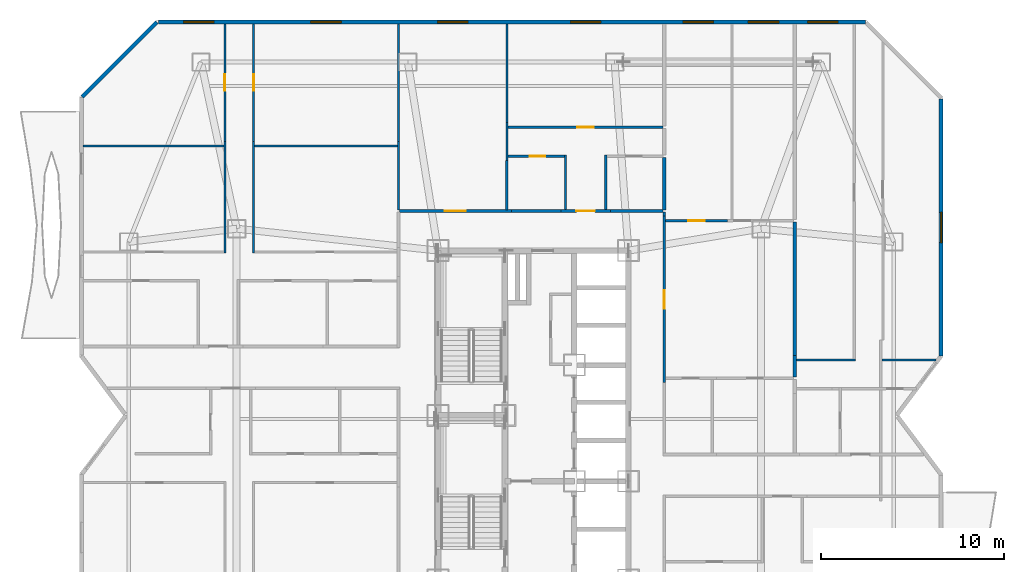
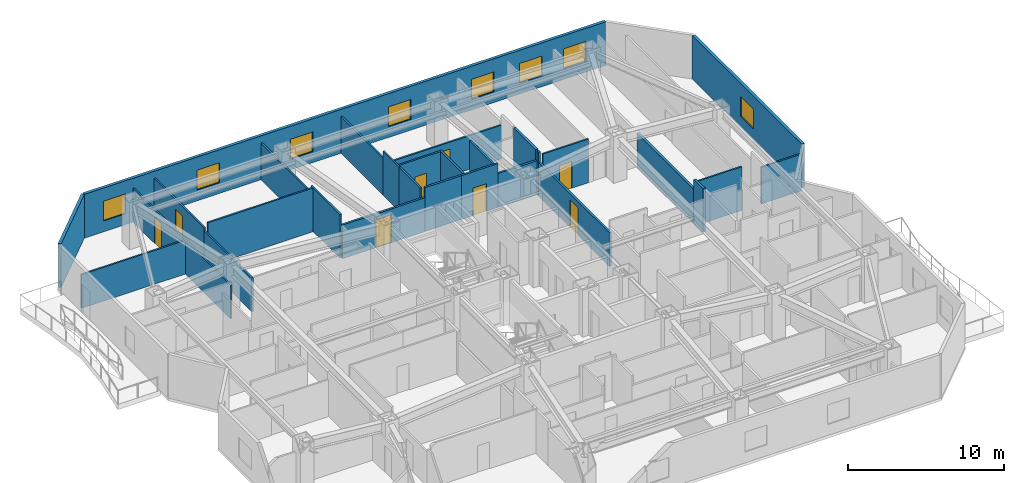
# One storey, part 11 of 14: 30 walls, 8 doors, 8 windows, 16 openings.
"""IFC4 building model written with IfcOpenShell, lengths in metres."""

from ifc_helpers import new_model, si_unit, direction, frame, frame_2d, origin, place, context, subcontext, project, spatial, rectangle, extrude, material, layer, layer_set, type_object, element, fill, save


model = new_model("IFC4")

# Units and contexts
model_context = context("Model", 3, precision=1e-05, world=origin(), true_north=direction((0.0, 1.0)))
body_context = subcontext(model_context, "Body", "Model", "MODEL_VIEW")
ifc_project = project(units=[si_unit("LENGTHUNIT", "METRE"), si_unit("AREAUNIT", "SQUARE_METRE"), si_unit("VOLUMEUNIT", "CUBIC_METRE"), si_unit("PLANEANGLEUNIT", "RADIAN"), si_unit("MASSUNIT", "GRAM", prefix="KILO")], contexts=[model_context])

# Site, building, storey
site_placement = place(None, origin())
site = spatial("IfcSite", under=ifc_project, at=site_placement, CompositionType="ELEMENT")
building_placement = place(site_placement, origin())
building = spatial("IfcBuilding", under=site, at=building_placement, Name="Khamvora Tower", CompositionType="ELEMENT")
storey_placement = place(building_placement, frame((0.0, 0.0, 123.800048828125)))
storey = spatial("IfcBuildingStorey", under=building, at=storey_placement, Name="L31", CompositionType="ELEMENT", Elevation=123.800048828125)

# Wall, opening, door
ifc_material_1 = material(Name="Fire-Rated Drywall and Steel Stud", Category="steel")
ifc_layer_1 = layer(ifc_material_1, 0.14990234375)
ifc_layer_set_1 = layer_set([ifc_layer_1], Name="Fire-Rated Drywall and Steel Stud")
wall_type_1 = type_object("IfcWallType", Name="WAL-CORR-150", PredefinedType="STANDARD", material=ifc_layer_set_1)
wall_1_placement = place(storey_placement, frame((26.89990234375, 39.1650390625, 0.0), z_axis=(0.0, 0.0, 1.0), x_axis=(1.0, 0.0, 0.0)))
wall_1 = element("IfcWall", 1, at=wall_1_placement, inside=storey, type_object=wall_type_1, Name="L31 interior partition wall 004", PredefinedType="STANDARD", context=body_context, shape_type="SweptSolid", body=[
    extrude(rectangle(XDim=6.114013671875, YDim=0.14990234375, at=frame_2d((3.05712890625, 0.0))), origin(), (0.0, 0.0, 1.0), 2.64697265625),
])
opening_1_placement = place(wall_1_placement, frame((2.4609375, 0.0, 0.0)))
opening_1 = element("IfcOpeningElement", 2, at=opening_1_placement, cuts=wall_1, Name="Opening D-SC1", PredefinedType="OPENING", context=body_context, shape_type="SweptSolid", body=[
    extrude(rectangle(XDim=1.14990234375, YDim=2.199951171875, at=frame_2d((0.574951171875, 1.10009765625))), frame((0.0, 0.0849609375, 0.0), z_axis=(0.0, -1.0, 0.0), x_axis=(1.0, 0.0, 0.0)), (0.0, 0.0, 1.0), 0.169921875),
])
ifc_material_2 = material(Name="Powder-Coated Steel and Hardwood Leaf", Category="steel")
door_type_1 = type_object("IfcDoorType", Name="DOR-SCHL-1150", OperationType="NOTDEFINED", PredefinedType="DOOR", material=ifc_material_2)
door_1_placement = place(opening_1_placement, origin())
door_1 = element("IfcDoor", 3, at=door_1_placement, inside=storey, type_object=door_type_1, Name="L31 interior door COR-FSTD", OperationType="SINGLE_SWING_RIGHT", OverallHeight=2.199951171875, OverallWidth=1.14990234375, PredefinedType="DOOR", context=body_context, shape_type="SweptSolid", body=[
    extrude(rectangle(XDim=1.14990234375, YDim=2.199951171875, at=frame_2d((0.574951171875, 1.10009765625))), frame((0.0, 0.02490234375, 0.0), z_axis=(0.0, -1.0, 0.0), x_axis=(1.0, 0.0, 0.0)), (0.0, 0.0, 1.0), 0.050048828125),
])
fill(opening_1, door_1)

wall_2_placement = place(storey_placement, frame((35.716064453125, 39.1650390625, 0.0), z_axis=(0.0, 0.0, 1.0), x_axis=(1.0, 0.0, 0.0)))
wall_2 = element("IfcWall", 4, at=wall_2_placement, inside=storey, type_object=wall_type_1, Name="L31 interior partition wall 023", PredefinedType="STANDARD", context=body_context, shape_type="SweptSolid", body=[
    extrude(rectangle(XDim=2.697998046875, YDim=0.14990234375, at=frame_2d((1.34912109375, 0.0))), origin(), (0.0, 0.0, 1.0), 3.429931640625),
])
opening_2_placement = place(wall_2_placement, frame((0.84912109375, 0.0, 0.0)))
opening_2 = element("IfcOpeningElement", 5, at=opening_2_placement, cuts=wall_2, Name="Opening D-U1", PredefinedType="OPENING", context=body_context, shape_type="SweptSolid", body=[
    extrude(rectangle(XDim=1.0, YDim=2.14990234375, at=frame_2d((0.5, 1.074951171875))), frame((0.0, 0.0849609375, 0.0), z_axis=(0.0, -1.0, 0.0), x_axis=(1.0, 0.0, 0.0)), (0.0, 0.0, 1.0), 0.169921875),
])
door_type_2 = type_object("IfcDoorType", Name="DOR-UNIT-1000", OperationType="NOTDEFINED", PredefinedType="DOOR", material=ifc_material_2)
door_2_placement = place(opening_2_placement, origin())
door_2 = element("IfcDoor", 6, at=door_2_placement, inside=storey, type_object=door_type_2, Name="L31 interior door COR-31NAH", OperationType="SINGLE_SWING_RIGHT", OverallHeight=2.14990234375, OverallWidth=1.0, PredefinedType="DOOR", context=body_context, shape_type="SweptSolid", body=[
    extrude(rectangle(XDim=1.0, YDim=2.14990234375, at=frame_2d((0.5, 1.074951171875))), frame((0.0, 0.02490234375, 0.0), z_axis=(0.0, -1.0, 0.0), x_axis=(1.0, 0.0, 0.0)), (0.0, 0.0, 1.0), 0.050048828125),
])
fill(opening_2, door_2)

# Walls
wall_3_placement = place(storey_placement, frame((33.013916015625, 39.1650390625, 0.0), z_axis=(0.0, 0.0, 1.0), x_axis=(1.0, 0.0, 0.0)))
element("IfcWall", 7, at=wall_3_placement, inside=storey, type_object=wall_type_1, Name="L31 interior partition wall 024", PredefinedType="STANDARD", context=body_context, shape_type="SweptSolid", body=[
    extrude(rectangle(XDim=2.7021484375, YDim=0.14990234375, at=frame_2d((1.35107421875, 0.0))), origin(), (0.0, 0.0, 1.0), 3.429931640625),
])
wall_4_placement = place(storey_placement, frame((38.4140625, 39.1650390625, 0.0), z_axis=(0.0, 0.0, 1.0), x_axis=(1.0, 0.0, 0.0)))
element("IfcWall", 8, at=wall_4_placement, inside=storey, type_object=wall_type_1, Name="L31 interior partition wall 025", PredefinedType="STANDARD", context=body_context, shape_type="SweptSolid", body=[
    extrude(rectangle(XDim=2.885986328125, YDim=0.14990234375, at=frame_2d((1.44287109375, 0.0))), origin(), (0.0, 0.0, 1.0), 2.64697265625),
])

# Wall, opening, door
wall_5_placement = place(storey_placement, frame((41.364990234375, 38.87890625, 0.0), z_axis=(0.0, 0.0, 1.0), x_axis=(0.0, -1.0, 0.0)))
wall_5 = element("IfcWall", 9, at=wall_5_placement, inside=storey, type_object=wall_type_1, Name="L31 interior partition wall 032", PredefinedType="STANDARD", context=body_context, shape_type="SweptSolid", body=[
    extrude(rectangle(XDim=9.097900390625, YDim=0.14990234375, at=frame_2d((4.548828125, 0.0))), origin(), (0.0, 0.0, 1.0), 2.64697265625),
])
opening_3_placement = place(wall_5_placement, frame((4.049072265625, 0.0, 0.0)))
opening_3 = element("IfcOpeningElement", 10, at=opening_3_placement, cuts=wall_5, Name="Opening D-U1", PredefinedType="OPENING", context=body_context, shape_type="SweptSolid", body=[
    extrude(rectangle(XDim=1.0, YDim=2.14990234375, at=frame_2d((0.5, 1.074951171875))), frame((0.0, 0.0849609375, 0.0), z_axis=(0.0, -1.0, 0.0), x_axis=(1.0, 0.0, 0.0)), (0.0, 0.0, 1.0), 0.169921875),
])
door_3_placement = place(opening_3_placement, origin())
door_3 = element("IfcDoor", 11, at=door_3_placement, inside=storey, type_object=door_type_2, Name="L31 interior door COR-31EBH", OperationType="SINGLE_SWING_RIGHT", OverallHeight=2.14990234375, OverallWidth=1.0, PredefinedType="DOOR", context=body_context, shape_type="SweptSolid", body=[
    extrude(rectangle(XDim=1.0, YDim=2.14990234375, at=frame_2d((0.5, 1.074951171875))), frame((0.0, 0.02490234375, 0.0), z_axis=(0.0, -1.0, 0.0), x_axis=(1.0, 0.0, 0.0)), (0.0, 0.0, 1.0), 0.050048828125),
])
fill(opening_3, door_3)

# Walls
wall_6_placement = place(storey_placement, frame((41.364990234375, 39.10009765625, 0.0), z_axis=(0.0, 0.0, 1.0), x_axis=(0.0, -1.0, 0.0)))
element("IfcWall", 12, at=wall_6_placement, inside=storey, type_object=wall_type_1, Name="L31 interior partition wall 036", PredefinedType="STANDARD", context=body_context, shape_type="SweptSolid", body=[
    extrude(rectangle(XDim=0.22119140625, YDim=0.14990234375, at=frame_2d((0.110595703125, 0.0))), origin(), (0.0, 0.0, 1.0), 3.429931640625),
])
ifc_material_3 = material(Name="Acoustic Double-Stud Fire Wall", Category="gypsum")
ifc_layer_2 = layer(ifc_material_3, 0.179931640625)
ifc_layer_set_2 = layer_set([ifc_layer_2], Name="Acoustic Double-Stud Fire Wall")
wall_type_2 = type_object("IfcWallType", Name="WAL-CORR-180", PredefinedType="STANDARD", material=ifc_layer_set_2)
wall_7_placement = place(storey_placement, frame((41.364990234375, 42.096923828125, 0.0), z_axis=(0.0, 0.0, 1.0), x_axis=(0.0, -1.0, 0.0)))
element("IfcWall", 13, at=wall_7_placement, inside=storey, type_object=wall_type_2, Name="L31 interior partition wall 096", PredefinedType="STANDARD", context=body_context, shape_type="SweptSolid", body=[
    extrude(rectangle(XDim=2.866943359375, YDim=0.179931640625, at=frame_2d((1.43359375, 0.0))), origin(), (0.0, 0.0, 1.0), 3.429931640625),
])
wall_8_placement = place(storey_placement, frame((48.489990234375, 31.27392578125, 0.0), z_axis=(0.0, 0.0, 1.0), x_axis=(0.0, -1.0, 0.0)))
element("IfcWall", 14, at=wall_8_placement, inside=storey, type_object=wall_type_2, Name="L31 interior partition wall 114", PredefinedType="STANDARD", context=body_context, shape_type="SweptSolid", body=[
    extrude(rectangle(XDim=1.178955078125, YDim=0.179931640625, at=frame_2d((0.58935546875, 0.0))), origin(), (0.0, 0.0, 1.0), 3.429931640625),
])
wall_9_placement = place(storey_placement, frame((48.489990234375, 38.56494140625, 0.0), z_axis=(0.0, 0.0, 1.0), x_axis=(0.0, -1.0, 0.0)))
element("IfcWall", 15, at=wall_9_placement, inside=storey, type_object=wall_type_2, Name="L31 interior partition wall 115", PredefinedType="STANDARD", context=body_context, shape_type="SweptSolid", body=[
    extrude(rectangle(XDim=7.291015625, YDim=0.179931640625, at=frame_2d((3.6455078125, 0.0))), origin(), (0.0, 0.0, 1.0), 2.64697265625),
])
ifc_material_4 = material(Name="Precast concrete C40/50", Category="concrete")
ifc_layer_3 = layer(ifc_material_4, 0.219970703125)
ifc_layer_set_3 = layer_set([ifc_layer_3], Name="Precast concrete C40/50")
wall_type_3 = type_object("IfcWallType", Name="WAL-EXT-220", PredefinedType="STANDARD", material=ifc_layer_set_3)
wall_10_placement = place(storey_placement, frame((9.55810546875, 45.402099609375, 0.0), z_axis=(0.0, 0.0, 1.0), x_axis=(0.707106781187, 0.707106781187, 0.0)))
element("IfcWall", 16, at=wall_10_placement, inside=storey, type_object=wall_type_3, Name="L31 exterior facade wall 06.1", PredefinedType="STANDARD", context=body_context, shape_type="SweptSolid", body=[
    extrude(rectangle(XDim=5.78125, YDim=0.219970703125, at=frame_2d((2.890625, 0.0))), origin(), (0.0, 0.0, 1.0), 3.429931640625),
])

# Wall, openings, windows
wall_11_placement = place(storey_placement, frame((13.715087890625, 49.489990234375, 0.0), z_axis=(0.0, 0.0, 1.0), x_axis=(1.0, 0.0, 0.0)))
wall_11 = element("IfcWall", 17, at=wall_11_placement, inside=storey, type_object=wall_type_3, Name="L31 exterior facade wall 07.1", PredefinedType="STANDARD", context=body_context, shape_type="SweptSolid", body=[
    extrude(rectangle(XDim=38.638916015625, YDim=0.219970703125, at=frame_2d((19.3193359375, 0.0))), origin(), (0.0, 0.0, 1.0), 3.429931640625),
])
opening_4_placement = place(wall_11_placement, frame((15.260009765625, 0.0, 0.85009765625)))
opening_4 = element("IfcOpeningElement", 18, at=opening_4_placement, cuts=wall_11, Name="Opening WN-06", PredefinedType="OPENING", context=body_context, shape_type="SweptSolid", body=[
    extrude(rectangle(XDim=1.64990234375, YDim=1.550048828125, at=frame_2d((0.824951171875, 0.77490234375))), frame((0.0, 0.119873046875, 0.0), z_axis=(0.0, -1.0, 0.0), x_axis=(1.0, 0.0, 0.0)), (0.0, 0.0, 1.0), 0.239990234375),
])
opening_5_placement = place(wall_11_placement, frame((1.387939453125, 0.0, 0.85009765625)))
opening_5 = element("IfcOpeningElement", 19, at=opening_5_placement, cuts=wall_11, Name="Opening WN-06", PredefinedType="OPENING", context=body_context, shape_type="SweptSolid", body=[
    extrude(rectangle(XDim=1.64990234375, YDim=1.550048828125, at=frame_2d((0.824951171875, 0.77490234375))), frame((0.0, 0.119873046875, 0.0), z_axis=(0.0, -1.0, 0.0), x_axis=(1.0, 0.0, 0.0)), (0.0, 0.0, 1.0), 0.239990234375),
])
opening_6_placement = place(wall_11_placement, frame((8.340087890625, 0.0, 0.85009765625)))
opening_6 = element("IfcOpeningElement", 20, at=opening_6_placement, cuts=wall_11, Name="Opening WN-06", PredefinedType="OPENING", context=body_context, shape_type="SweptSolid", body=[
    extrude(rectangle(XDim=1.64990234375, YDim=1.550048828125, at=frame_2d((0.824951171875, 0.77490234375))), frame((0.0, 0.119873046875, 0.0), z_axis=(0.0, -1.0, 0.0), x_axis=(1.0, 0.0, 0.0)), (0.0, 0.0, 1.0), 0.239990234375),
])
opening_7_placement = place(wall_11_placement, frame((22.52490234375, 0.0, 0.85009765625)))
opening_7 = element("IfcOpeningElement", 21, at=opening_7_placement, cuts=wall_11, Name="Opening WN-06", PredefinedType="OPENING", context=body_context, shape_type="SweptSolid", body=[
    extrude(rectangle(XDim=1.64990234375, YDim=1.550048828125, at=frame_2d((0.824951171875, 0.77490234375))), frame((0.0, 0.119873046875, 0.0), z_axis=(0.0, -1.0, 0.0), x_axis=(1.0, 0.0, 0.0)), (0.0, 0.0, 1.0), 0.239990234375),
])
opening_8_placement = place(wall_11_placement, frame((32.239013671875, 0.0, 0.85009765625)))
opening_8 = element("IfcOpeningElement", 22, at=opening_8_placement, cuts=wall_11, Name="Opening WN-06", PredefinedType="OPENING", context=body_context, shape_type="SweptSolid", body=[
    extrude(rectangle(XDim=1.64990234375, YDim=1.550048828125, at=frame_2d((0.824951171875, 0.77490234375))), frame((0.0, 0.119873046875, 0.0), z_axis=(0.0, -1.0, 0.0), x_axis=(1.0, 0.0, 0.0)), (0.0, 0.0, 1.0), 0.239990234375),
])
opening_9_placement = place(wall_11_placement, frame((28.676025390625, 0.0, 0.85009765625)))
opening_9 = element("IfcOpeningElement", 23, at=opening_9_placement, cuts=wall_11, Name="Opening WN-06", PredefinedType="OPENING", context=body_context, shape_type="SweptSolid", body=[
    extrude(rectangle(XDim=1.64990234375, YDim=1.550048828125, at=frame_2d((0.824951171875, 0.77490234375))), frame((0.0, 0.119873046875, 0.0), z_axis=(0.0, -1.0, 0.0), x_axis=(1.0, 0.0, 0.0)), (0.0, 0.0, 1.0), 0.239990234375),
])
opening_10_placement = place(wall_11_placement, frame((35.489013671875, 0.0, 0.85009765625)))
opening_10 = element("IfcOpeningElement", 24, at=opening_10_placement, cuts=wall_11, Name="Opening WN-06", PredefinedType="OPENING", context=body_context, shape_type="SweptSolid", body=[
    extrude(rectangle(XDim=1.64990234375, YDim=1.550048828125, at=frame_2d((0.824951171875, 0.77490234375))), frame((0.0, 0.119873046875, 0.0), z_axis=(0.0, -1.0, 0.0), x_axis=(1.0, 0.0, 0.0)), (0.0, 0.0, 1.0), 0.239990234375),
])
ifc_material_5 = material(Name="Low-E Laminated Double Glazing", Category="glass")
window_type = type_object("IfcWindowType", Name="WIN-VIS-1650x1550", PartitioningType="SINGLE_PANEL", PredefinedType="WINDOW", material=ifc_material_5)
window_1_placement = place(opening_4_placement, origin())
window_1 = element("IfcWindow", 25, at=window_1_placement, inside=storey, type_object=window_type, Name="L31 vision window 07.1.01", OverallHeight=1.550048828125, OverallWidth=1.64990234375, PartitioningType="SINGLE_PANEL", PredefinedType="WINDOW", context=body_context, shape_type="SweptSolid", body=[
    extrude(rectangle(XDim=1.64990234375, YDim=1.550048828125, at=frame_2d((0.824951171875, 0.77490234375))), frame((0.0, 0.030029296875, 0.0), z_axis=(0.0, -1.0, 0.0), x_axis=(1.0, 0.0, 0.0)), (0.0, 0.0, 1.0), 0.06005859375),
])
fill(opening_4, window_1)
window_2_placement = place(opening_5_placement, origin())
window_2 = element("IfcWindow", 26, at=window_2_placement, inside=storey, type_object=window_type, Name="L31 vision window 07.1.02", OverallHeight=1.550048828125, OverallWidth=1.64990234375, PartitioningType="SINGLE_PANEL", PredefinedType="WINDOW", context=body_context, shape_type="SweptSolid", body=[
    extrude(rectangle(XDim=1.64990234375, YDim=1.550048828125, at=frame_2d((0.824951171875, 0.77490234375))), frame((0.0, 0.030029296875, 0.0), z_axis=(0.0, -1.0, 0.0), x_axis=(1.0, 0.0, 0.0)), (0.0, 0.0, 1.0), 0.06005859375),
])
fill(opening_5, window_2)
window_3_placement = place(opening_6_placement, origin())
window_3 = element("IfcWindow", 27, at=window_3_placement, inside=storey, type_object=window_type, Name="L31 vision window 07.1.03", OverallHeight=1.550048828125, OverallWidth=1.64990234375, PartitioningType="SINGLE_PANEL", PredefinedType="WINDOW", context=body_context, shape_type="SweptSolid", body=[
    extrude(rectangle(XDim=1.64990234375, YDim=1.550048828125, at=frame_2d((0.824951171875, 0.77490234375))), frame((0.0, 0.030029296875, 0.0), z_axis=(0.0, -1.0, 0.0), x_axis=(1.0, 0.0, 0.0)), (0.0, 0.0, 1.0), 0.06005859375),
])
fill(opening_6, window_3)
window_4_placement = place(opening_7_placement, origin())
window_4 = element("IfcWindow", 28, at=window_4_placement, inside=storey, type_object=window_type, Name="L31 vision window 07.1.04", OverallHeight=1.550048828125, OverallWidth=1.64990234375, PartitioningType="SINGLE_PANEL", PredefinedType="WINDOW", context=body_context, shape_type="SweptSolid", body=[
    extrude(rectangle(XDim=1.64990234375, YDim=1.550048828125, at=frame_2d((0.824951171875, 0.77490234375))), frame((0.0, 0.030029296875, 0.0), z_axis=(0.0, -1.0, 0.0), x_axis=(1.0, 0.0, 0.0)), (0.0, 0.0, 1.0), 0.06005859375),
])
fill(opening_7, window_4)
window_5_placement = place(opening_8_placement, origin())
window_5 = element("IfcWindow", 29, at=window_5_placement, inside=storey, type_object=window_type, Name="L31 vision window 07.1.05", OverallHeight=1.550048828125, OverallWidth=1.64990234375, PartitioningType="SINGLE_PANEL", PredefinedType="WINDOW", context=body_context, shape_type="SweptSolid", body=[
    extrude(rectangle(XDim=1.64990234375, YDim=1.550048828125, at=frame_2d((0.824951171875, 0.77490234375))), frame((0.0, 0.030029296875, 0.0), z_axis=(0.0, -1.0, 0.0), x_axis=(1.0, 0.0, 0.0)), (0.0, 0.0, 1.0), 0.06005859375),
])
fill(opening_8, window_5)
window_6_placement = place(opening_9_placement, origin())
window_6 = element("IfcWindow", 30, at=window_6_placement, inside=storey, type_object=window_type, Name="L31 vision window 07.1.06", OverallHeight=1.550048828125, OverallWidth=1.64990234375, PartitioningType="SINGLE_PANEL", PredefinedType="WINDOW", context=body_context, shape_type="SweptSolid", body=[
    extrude(rectangle(XDim=1.64990234375, YDim=1.550048828125, at=frame_2d((0.824951171875, 0.77490234375))), frame((0.0, 0.030029296875, 0.0), z_axis=(0.0, -1.0, 0.0), x_axis=(1.0, 0.0, 0.0)), (0.0, 0.0, 1.0), 0.06005859375),
])
fill(opening_9, window_6)
window_7_placement = place(opening_10_placement, origin())
window_7 = element("IfcWindow", 31, at=window_7_placement, inside=storey, type_object=window_type, Name="L31 vision window 07.1.07", OverallHeight=1.550048828125, OverallWidth=1.64990234375, PartitioningType="SINGLE_PANEL", PredefinedType="WINDOW", context=body_context, shape_type="SweptSolid", body=[
    extrude(rectangle(XDim=1.64990234375, YDim=1.550048828125, at=frame_2d((0.824951171875, 0.77490234375))), frame((0.0, 0.030029296875, 0.0), z_axis=(0.0, -1.0, 0.0), x_axis=(1.0, 0.0, 0.0)), (0.0, 0.0, 1.0), 0.06005859375),
])
fill(opening_10, window_7)

# Wall, opening, window
wall_12_placement = place(storey_placement, frame((56.489990234375, 45.282958984375, 0.0), z_axis=(0.0, 0.0, 1.0), x_axis=(0.0, -1.0, 0.0)))
wall_12 = element("IfcWall", 32, at=wall_12_placement, inside=storey, type_object=wall_type_3, Name="L31 exterior facade wall 09.1", PredefinedType="STANDARD", context=body_context, shape_type="SweptSolid", body=[
    extrude(rectangle(XDim=14.0458984375, YDim=0.219970703125, at=frame_2d((7.02294921875, 0.0))), origin(), (0.0, 0.0, 1.0), 3.429931640625),
])
opening_11_placement = place(wall_12_placement, frame((6.197998046875, 0.0, 0.85009765625)))
opening_11 = element("IfcOpeningElement", 33, at=opening_11_placement, cuts=wall_12, Name="Opening WN-06", PredefinedType="OPENING", context=body_context, shape_type="SweptSolid", body=[
    extrude(rectangle(XDim=1.64990234375, YDim=1.550048828125, at=frame_2d((0.824951171875, 0.77490234375))), frame((0.0, 0.119873046875, 0.0), z_axis=(0.0, -1.0, 0.0), x_axis=(1.0, 0.0, 0.0)), (0.0, 0.0, 1.0), 0.239990234375),
])
window_8_placement = place(opening_11_placement, origin())
window_8 = element("IfcWindow", 34, at=window_8_placement, inside=storey, type_object=window_type, Name="L31 vision window 09.1.01", OverallHeight=1.550048828125, OverallWidth=1.64990234375, PartitioningType="SINGLE_PANEL", PredefinedType="WINDOW", context=body_context, shape_type="SweptSolid", body=[
    extrude(rectangle(XDim=1.64990234375, YDim=1.550048828125, at=frame_2d((0.824951171875, 0.77490234375))), frame((0.0, 0.030029296875, 0.0), z_axis=(0.0, -1.0, 0.0), x_axis=(1.0, 0.0, 0.0)), (0.0, 0.0, 1.0), 0.06005859375),
])
fill(opening_11, window_8)

# Walls
ifc_material_6 = material(Name="Gypsum Plasterboard Partition", Category="gypsum")
ifc_layer_4 = layer(ifc_material_6, 0.1201171875)
ifc_layer_set_4 = layer_set([ifc_layer_4], Name="Gypsum Plasterboard Partition")
wall_type_4 = type_object("IfcWallType", Name="WAL-PART-120", PredefinedType="PARTITIONING", material=ifc_layer_set_4)
wall_13_placement = place(storey_placement, frame((26.8349609375, 39.22998046875, 0.0), z_axis=(0.0, 0.0, 1.0), x_axis=(0.0, 1.0, 0.0)))
element("IfcWall", 35, at=wall_13_placement, inside=storey, type_object=wall_type_4, Name="L31 interior partition wall 039", PredefinedType="PARTITIONING", context=body_context, shape_type="SweptSolid", body=[
    extrude(rectangle(XDim=3.741943359375, YDim=0.1201171875, at=frame_2d((1.87109375, 0.0))), origin(), (0.0, 0.0, 1.0), 3.429931640625),
])
wall_14_placement = place(storey_placement, frame((26.8349609375, 42.971923828125, 0.0), z_axis=(0.0, 0.0, 1.0), x_axis=(0.0, 1.0, 0.0)))
element("IfcWall", 36, at=wall_14_placement, inside=storey, type_object=wall_type_4, Name="L31 interior partition wall 040", PredefinedType="PARTITIONING", context=body_context, shape_type="SweptSolid", body=[
    extrude(rectangle(XDim=6.416015625, YDim=0.1201171875, at=frame_2d((3.2080078125, 0.0))), origin(), (0.0, 0.0, 1.0), 2.8759765625),
])
wall_15_placement = place(storey_placement, frame((32.764892578125, 43.990966796875, 0.0), z_axis=(0.0, 0.0, 1.0), x_axis=(0.0, -1.0, 0.0)))
element("IfcWall", 37, at=wall_15_placement, inside=storey, type_object=wall_type_4, Name="L31 interior partition wall 041", PredefinedType="PARTITIONING", context=body_context, shape_type="SweptSolid", body=[
    extrude(rectangle(XDim=2.077880859375, YDim=0.1201171875, at=frame_2d((1.0390625, 0.0))), origin(), (0.0, 0.0, 1.0), 3.429931640625),
])
wall_16_placement = place(storey_placement, frame((32.764892578125, 49.387939453125, 0.0), z_axis=(0.0, 0.0, 1.0), x_axis=(0.0, -1.0, 0.0)))
element("IfcWall", 38, at=wall_16_placement, inside=storey, type_object=wall_type_4, Name="L31 interior partition wall 043", PredefinedType="PARTITIONING", context=body_context, shape_type="SweptSolid", body=[
    extrude(rectangle(XDim=5.39697265625, YDim=0.1201171875, at=frame_2d((2.698486328125, 0.0))), origin(), (0.0, 0.0, 1.0), 2.8759765625),
])
wall_17_placement = place(storey_placement, frame((17.35498046875, 36.860107421875, 0.0), z_axis=(0.0, 0.0, 1.0), x_axis=(0.0, 1.0, 0.0)))
element("IfcWall", 39, at=wall_17_placement, inside=storey, type_object=wall_type_4, Name="L31 interior partition wall 073", PredefinedType="PARTITIONING", context=body_context, shape_type="SweptSolid", body=[
    extrude(rectangle(XDim=6.11181640625, YDim=0.1201171875, at=frame_2d((3.055908203125, 0.0))), origin(), (0.0, 0.0, 1.0), 2.64697265625),
])

# Wall, opening, door
wall_18_placement = place(storey_placement, frame((17.35498046875, 42.971923828125, 0.0), z_axis=(0.0, 0.0, 1.0), x_axis=(0.0, 1.0, 0.0)))
wall_18 = element("IfcWall", 40, at=wall_18_placement, inside=storey, type_object=wall_type_4, Name="L31 interior partition wall 074", PredefinedType="PARTITIONING", context=body_context, shape_type="SweptSolid", body=[
    extrude(rectangle(XDim=6.416015625, YDim=0.1201171875, at=frame_2d((3.2080078125, 0.0))), origin(), (0.0, 0.0, 1.0), 2.64697265625),
])
opening_12_placement = place(wall_18_placement, frame((2.758056640625, 0.0, 0.0)))
opening_12 = element("IfcOpeningElement", 41, at=opening_12_placement, cuts=wall_18, Name="Opening D-RM1", PredefinedType="OPENING", context=body_context, shape_type="SweptSolid", body=[
    extrude(rectangle(XDim=0.89990234375, YDim=2.10009765625, at=frame_2d((0.449951171875, 1.050048828125))), frame((0.0, 0.070068359375, 0.0), z_axis=(0.0, -1.0, 0.0), x_axis=(1.0, 0.0, 0.0)), (0.0, 0.0, 1.0), 0.14013671875),
])
door_type_3 = type_object("IfcDoorType", Name="DOR-ROOM-900", OperationType="NOTDEFINED", PredefinedType="DOOR", material=ifc_material_2)
door_4_placement = place(opening_12_placement, origin())
door_4 = element("IfcDoor", 42, at=door_4_placement, inside=storey, type_object=door_type_3, Name="L31 interior door 31WBH-31WBR2", OperationType="SINGLE_SWING_LEFT", OverallHeight=2.10009765625, OverallWidth=0.89990234375, PredefinedType="DOOR", context=body_context, shape_type="SweptSolid", body=[
    extrude(rectangle(XDim=0.89990234375, YDim=2.10009765625, at=frame_2d((0.449951171875, 1.050048828125))), frame((0.0, 0.02490234375, 0.0), z_axis=(0.0, -1.0, 0.0), x_axis=(1.0, 0.0, 0.0)), (0.0, 0.0, 1.0), 0.050048828125),
])
fill(opening_12, door_4)

# Wall
wall_19_placement = place(storey_placement, frame((18.925048828125, 42.971923828125, 0.0), z_axis=(0.0, 0.0, 1.0), x_axis=(0.0, -1.0, 0.0)))
element("IfcWall", 43, at=wall_19_placement, inside=storey, type_object=wall_type_4, Name="L31 interior partition wall 075", PredefinedType="PARTITIONING", context=body_context, shape_type="SweptSolid", body=[
    extrude(rectangle(XDim=6.11181640625, YDim=0.1201171875, at=frame_2d((3.055908203125, 0.0))), origin(), (0.0, 0.0, 1.0), 2.64697265625),
])

# Wall, opening, door
wall_20_placement = place(storey_placement, frame((18.925048828125, 49.387939453125, 0.0), z_axis=(0.0, 0.0, 1.0), x_axis=(0.0, -1.0, 0.0)))
wall_20 = element("IfcWall", 44, at=wall_20_placement, inside=storey, type_object=wall_type_4, Name="L31 interior partition wall 077", PredefinedType="PARTITIONING", context=body_context, shape_type="SweptSolid", body=[
    extrude(rectangle(XDim=6.416015625, YDim=0.1201171875, at=frame_2d((3.2080078125, 0.0))), origin(), (0.0, 0.0, 1.0), 2.8759765625),
])
opening_13_placement = place(wall_20_placement, frame((2.758056640625, 0.0, 0.0)))
opening_13 = element("IfcOpeningElement", 45, at=opening_13_placement, cuts=wall_20, Name="Opening D-RM1", PredefinedType="OPENING", context=body_context, shape_type="SweptSolid", body=[
    extrude(rectangle(XDim=0.89990234375, YDim=2.10009765625, at=frame_2d((0.449951171875, 1.050048828125))), frame((0.0, 0.070068359375, 0.0), z_axis=(0.0, -1.0, 0.0), x_axis=(1.0, 0.0, 0.0)), (0.0, 0.0, 1.0), 0.14013671875),
])
door_5_placement = place(opening_13_placement, origin())
door_5 = element("IfcDoor", 46, at=door_5_placement, inside=storey, type_object=door_type_3, Name="L31 interior door 31WBH-31WBR4", OperationType="SINGLE_SWING_RIGHT", OverallHeight=2.10009765625, OverallWidth=0.89990234375, PredefinedType="DOOR", context=body_context, shape_type="SweptSolid", body=[
    extrude(rectangle(XDim=0.89990234375, YDim=2.10009765625, at=frame_2d((0.449951171875, 1.050048828125))), frame((0.0, 0.02490234375, 0.0), z_axis=(0.0, -1.0, 0.0), x_axis=(1.0, 0.0, 0.0)), (0.0, 0.0, 1.0), 0.050048828125),
])
fill(opening_13, door_5)

# Walls
wall_21_placement = place(storey_placement, frame((9.612060546875, 42.722900390625, 0.0), z_axis=(0.0, 0.0, 1.0), x_axis=(1.0, 0.0, 0.0)))
element("IfcWall", 47, at=wall_21_placement, inside=storey, type_object=wall_type_4, Name="L31 interior partition wall 078", PredefinedType="PARTITIONING", context=body_context, shape_type="SweptSolid", body=[
    extrude(rectangle(XDim=7.68896484375, YDim=0.1201171875, at=frame_2d((3.844482421875, 0.0))), origin(), (0.0, 0.0, 1.0), 2.64697265625),
])
wall_22_placement = place(storey_placement, frame((18.97900390625, 42.722900390625, 0.0), z_axis=(0.0, 0.0, 1.0), x_axis=(1.0, 0.0, 0.0)))
element("IfcWall", 48, at=wall_22_placement, inside=storey, type_object=wall_type_4, Name="L31 interior partition wall 079", PredefinedType="PARTITIONING", context=body_context, shape_type="SweptSolid", body=[
    extrude(rectangle(XDim=7.802001953125, YDim=0.1201171875, at=frame_2d((3.90087890625, 0.0))), origin(), (0.0, 0.0, 1.0), 3.429931640625),
])

# Wall, opening, door
wall_23_placement = place(storey_placement, frame((32.819091796875, 43.741943359375, 0.0), z_axis=(0.0, 0.0, 1.0), x_axis=(1.0, 0.0, 0.0)))
wall_23 = element("IfcWall", 49, at=wall_23_placement, inside=storey, type_object=wall_type_4, Name="L31 interior partition wall 094", PredefinedType="PARTITIONING", context=body_context, shape_type="SweptSolid", body=[
    extrude(rectangle(XDim=8.48095703125, YDim=0.1201171875, at=frame_2d((4.240478515625, 0.0))), origin(), (0.0, 0.0, 1.0), 2.64697265625),
])
opening_14_placement = place(wall_23_placement, frame((3.7900390625, 0.0, 0.0)))
opening_14 = element("IfcOpeningElement", 50, at=opening_14_placement, cuts=wall_23, Name="Opening D-RM1", PredefinedType="OPENING", context=body_context, shape_type="SweptSolid", body=[
    extrude(rectangle(XDim=0.89990234375, YDim=2.10009765625, at=frame_2d((0.449951171875, 1.050048828125))), frame((0.0, 0.070068359375, 0.0), z_axis=(0.0, -1.0, 0.0), x_axis=(1.0, 0.0, 0.0)), (0.0, 0.0, 1.0), 0.14013671875),
])
door_6_placement = place(opening_14_placement, origin())
door_6 = element("IfcDoor", 51, at=door_6_placement, inside=storey, type_object=door_type_3, Name="L31 interior door 31NAH-31NAR1", OperationType="SINGLE_SWING_LEFT", OverallHeight=2.10009765625, OverallWidth=0.89990234375, PredefinedType="DOOR", context=body_context, shape_type="SweptSolid", body=[
    extrude(rectangle(XDim=0.89990234375, YDim=2.10009765625, at=frame_2d((0.449951171875, 1.050048828125))), frame((0.0, 0.02490234375, 0.0), z_axis=(0.0, -1.0, 0.0), x_axis=(1.0, 0.0, 0.0)), (0.0, 0.0, 1.0), 0.050048828125),
])
fill(opening_14, door_6)

wall_24_placement = place(storey_placement, frame((41.431884765625, 38.6298828125, 0.0), z_axis=(0.0, 0.0, 1.0), x_axis=(1.0, 0.0, 0.0)))
wall_24 = element("IfcWall", 52, at=wall_24_placement, inside=storey, type_object=wall_type_4, Name="L31 interior partition wall 113", PredefinedType="PARTITIONING", context=body_context, shape_type="SweptSolid", body=[
    extrude(rectangle(XDim=3.38623046875, YDim=0.1201171875, at=frame_2d((1.693115234375, 0.0))), origin(), (0.0, 0.0, 1.0), 3.429931640625),
])
opening_15_placement = place(wall_24_placement, frame((1.242919921875, 0.0, 0.0)))
opening_15 = element("IfcOpeningElement", 53, at=opening_15_placement, cuts=wall_24, Name="Opening D-RM1", PredefinedType="OPENING", context=body_context, shape_type="SweptSolid", body=[
    extrude(rectangle(XDim=0.89990234375, YDim=2.10009765625, at=frame_2d((0.449951171875, 1.050048828125))), frame((0.0, 0.070068359375, 0.0), z_axis=(0.0, -1.0, 0.0), x_axis=(1.0, 0.0, 0.0)), (0.0, 0.0, 1.0), 0.14013671875),
])
door_7_placement = place(opening_15_placement, origin())
door_7 = element("IfcDoor", 54, at=door_7_placement, inside=storey, type_object=door_type_3, Name="L31 interior door 31EBH-31EBR1", OperationType="SINGLE_SWING_RIGHT", OverallHeight=2.10009765625, OverallWidth=0.89990234375, PredefinedType="DOOR", context=body_context, shape_type="SweptSolid", body=[
    extrude(rectangle(XDim=0.89990234375, YDim=2.10009765625, at=frame_2d((0.449951171875, 1.050048828125))), frame((0.0, 0.02490234375, 0.0), z_axis=(0.0, -1.0, 0.0), x_axis=(1.0, 0.0, 0.0)), (0.0, 0.0, 1.0), 0.050048828125),
])
fill(opening_15, door_7)

# Walls
wall_25_placement = place(storey_placement, frame((48.572021484375, 31.02490234375, 0.0), z_axis=(0.0, 0.0, 1.0), x_axis=(1.0, 0.0, 0.0)))
element("IfcWall", 55, at=wall_25_placement, inside=storey, type_object=wall_type_4, Name="L31 interior partition wall 125", PredefinedType="PARTITIONING", context=body_context, shape_type="SweptSolid", body=[
    extrude(rectangle(XDim=3.23095703125, YDim=0.1201171875, at=frame_2d((1.615478515625, 0.0))), origin(), (0.0, 0.0, 1.0), 3.429931640625),
])
wall_26_placement = place(storey_placement, frame((53.2451171875, 31.02490234375, 0.0), z_axis=(0.0, 0.0, 1.0), x_axis=(1.0, 0.0, 0.0)))
element("IfcWall", 56, at=wall_26_placement, inside=storey, type_object=wall_type_4, Name="L31 interior partition wall 128", PredefinedType="PARTITIONING", context=body_context, shape_type="SweptSolid", body=[
    extrude(rectangle(XDim=2.974853515625, YDim=0.1201171875, at=frame_2d((1.4873046875, 0.0))), origin(), (0.0, 0.0, 1.0), 2.8759765625),
])
ifc_material_7 = material(Name="Moisture-Resistant Plasterboard Partition", Category="gypsum")
ifc_layer_5 = layer(ifc_material_7, 0.135009765625)
ifc_layer_set_5 = layer_set([ifc_layer_5], Name="Moisture-Resistant Plasterboard Partition")
wall_type_5 = type_object("IfcWallType", Name="WAL-WET-135", PredefinedType="PARTITIONING", material=ifc_layer_set_5)
wall_27_placement = place(storey_placement, frame((32.764892578125, 41.9130859375, 0.0), z_axis=(0.0, 0.0, 1.0), x_axis=(0.0, -1.0, 0.0)))
element("IfcWall", 57, at=wall_27_placement, inside=storey, type_object=wall_type_5, Name="L31 interior partition wall 042", PredefinedType="PARTITIONING", context=body_context, shape_type="SweptSolid", body=[
    extrude(rectangle(XDim=2.68115234375, YDim=0.135009765625, at=frame_2d((1.340576171875, 0.0))), origin(), (0.0, 0.0, 1.0), 3.429931640625),
])
wall_28_placement = place(storey_placement, frame((35.965087890625, 39.23193359375, 0.0), z_axis=(0.0, 0.0, 1.0), x_axis=(0.0, 1.0, 0.0)))
element("IfcWall", 58, at=wall_28_placement, inside=storey, type_object=wall_type_5, Name="L31 interior partition wall 090", PredefinedType="PARTITIONING", context=body_context, shape_type="SweptSolid", body=[
    extrude(rectangle(XDim=2.9951171875, YDim=0.135009765625, at=frame_2d((1.49755859375, 0.0))), origin(), (0.0, 0.0, 1.0), 3.429931640625),
])

# Wall, opening, door
wall_29_placement = place(storey_placement, frame((36.030029296875, 42.162109375, 0.0), z_axis=(0.0, 0.0, 1.0), x_axis=(-1.0, 0.0, 0.0)))
wall_29 = element("IfcWall", 59, at=wall_29_placement, inside=storey, type_object=wall_type_5, Name="L31 interior partition wall 091", PredefinedType="PARTITIONING", context=body_context, shape_type="SweptSolid", body=[
    extrude(rectangle(XDim=3.2109375, YDim=0.135009765625, at=frame_2d((1.60546875, 0.0))), origin(), (0.0, 0.0, 1.0), 3.429931640625),
])
opening_16_placement = place(wall_29_placement, frame((1.179931640625, 0.0, 0.0)))
opening_16 = element("IfcOpeningElement", 60, at=opening_16_placement, cuts=wall_29, Name="Opening D-WC1", PredefinedType="OPENING", context=body_context, shape_type="SweptSolid", body=[
    extrude(rectangle(XDim=0.85009765625, YDim=2.10009765625, at=frame_2d((0.425048828125, 1.050048828125))), frame((0.0, 0.077392578125, 0.0), z_axis=(0.0, -1.0, 0.0), x_axis=(1.0, 0.0, 0.0)), (0.0, 0.0, 1.0), 0.155029296875),
])
door_type_4 = type_object("IfcDoorType", Name="DOR-WET-850", OperationType="NOTDEFINED", PredefinedType="DOOR", material=ifc_material_2)
door_8_placement = place(opening_16_placement, origin())
door_8 = element("IfcDoor", 61, at=door_8_placement, inside=storey, type_object=door_type_4, Name="L31 interior door 31NAH-31NAB", OperationType="SINGLE_SWING_LEFT", OverallHeight=2.10009765625, OverallWidth=0.85009765625, PredefinedType="DOOR", context=body_context, shape_type="SweptSolid", body=[
    extrude(rectangle(XDim=0.85009765625, YDim=2.10009765625, at=frame_2d((0.425048828125, 1.050048828125))), frame((0.0, 0.02490234375, 0.0), z_axis=(0.0, -1.0, 0.0), x_axis=(1.0, 0.0, 0.0)), (0.0, 0.0, 1.0), 0.050048828125),
])
fill(opening_16, door_8)

# Wall
wall_30_placement = place(storey_placement, frame((38.1650390625, 42.22705078125, 0.0), z_axis=(0.0, 0.0, 1.0), x_axis=(0.0, -1.0, 0.0)))
element("IfcWall", 62, at=wall_30_placement, inside=storey, type_object=wall_type_5, Name="L31 interior partition wall 093", PredefinedType="PARTITIONING", context=body_context, shape_type="SweptSolid", body=[
    extrude(rectangle(XDim=2.9951171875, YDim=0.135009765625, at=frame_2d((1.49755859375, 0.0))), origin(), (0.0, 0.0, 1.0), 3.429931640625),
])

save(model, "model.ifc")
